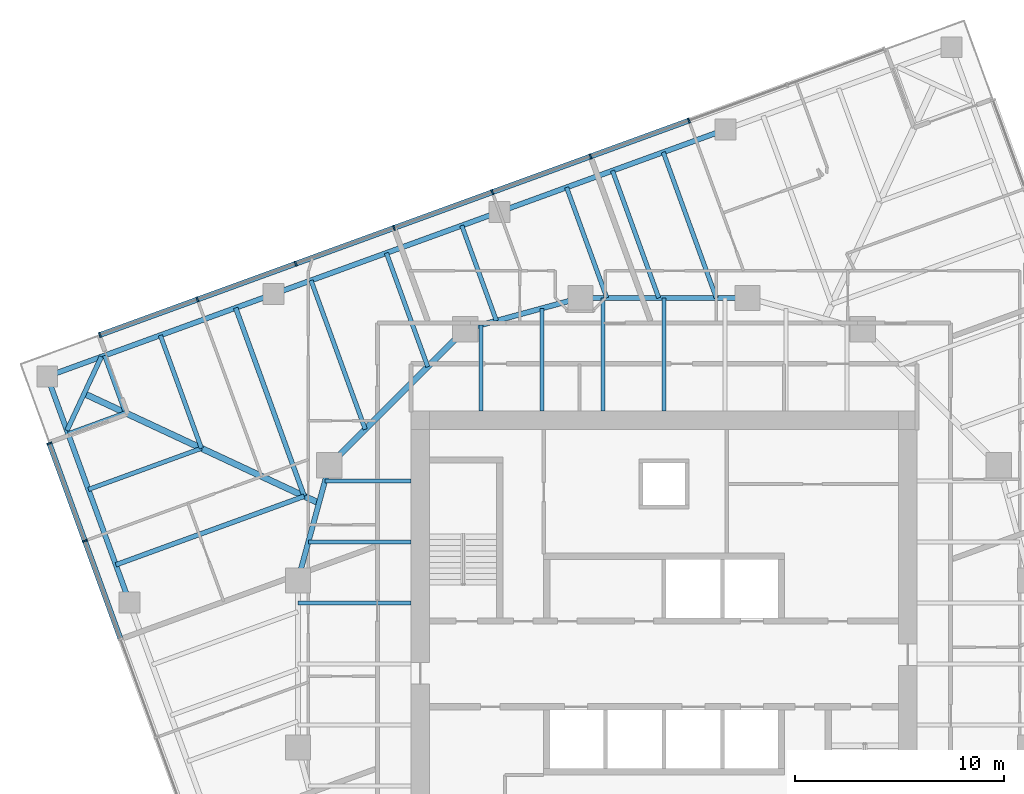
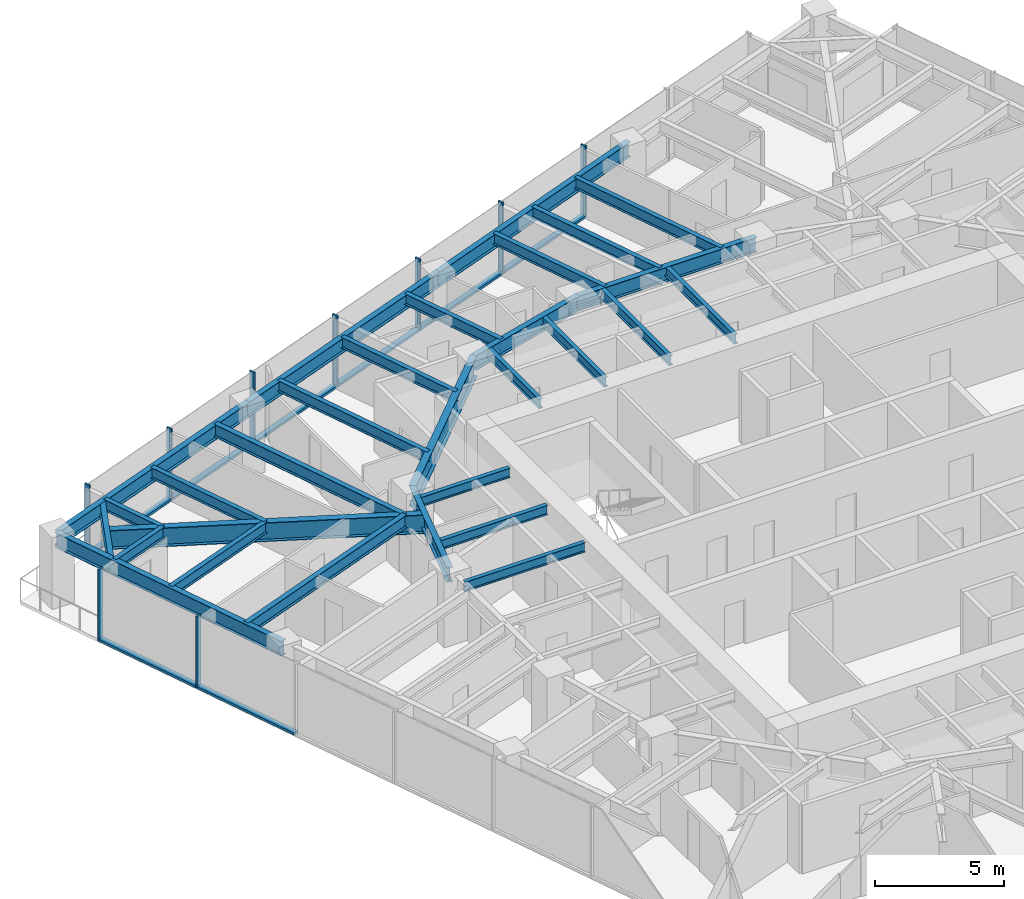
# One storey, part 4 of 13: 29 beams, 17 members, 2 elements without a shape of their own.
"""IFC4 building model written with IfcOpenShell, lengths in metres."""

import ifcopenshell
import ifcopenshell.guid

model = None  # the IFC model being written
_history = None  # IfcOwnerHistory: only IFC2X3 demands one
_inside = {}  # id of a spatial element -> (the spatial element, [elements in it])
_under = {}  # id of a project, library or spatial element -> (it, [spatial elements below it])
_declared = {}  # id of a project -> (the project, [libraries it declares])
_typed = {}  # id of a type object -> (the type object, [elements of that type])
_made_of = {}  # id of a material, layer set ... -> (it, [elements and type objects made of it])


def new_model(schema):
    """Start an empty IFC model of exactly this schema.

    Asked for "IFC4X3", IfcOpenShell would pick the latest addendum, in which some entities
    have other attributes; the version numbers below select the first issue.
    IFC2X3 requires an IfcOwnerHistory on every rooted entity: one is made here for all.
    """
    global model, _history
    if schema == "IFC4X3":
        model = ifcopenshell.file(schema_version=(4, 3, 0, 0))
    else:
        model = ifcopenshell.file(schema=schema)
    _inside.clear()
    _under.clear()
    _declared.clear()
    _typed.clear()
    _made_of.clear()
    _history = None
    if model.schema == "IFC2X3":
        org = make("IfcOrganization", Name="unknown")
        user = make(
            "IfcPersonAndOrganization",
            ThePerson=make("IfcPerson", FamilyName="unknown"),
            TheOrganization=org,
        )
        app = make(
            "IfcApplication",
            ApplicationDeveloper=org,
            Version="unknown",
            ApplicationFullName="unknown",
            ApplicationIdentifier="unknown",
        )
        _history = make(
            "IfcOwnerHistory",
            OwningUser=user,
            OwningApplication=app,
            ChangeAction="ADDED",
            CreationDate=0,
        )
    return model


def make(cls, **values):
    """One entity of the class cls with the attributes given. An attribute that is None is left unset."""
    return model.create_entity(
        cls, **{name: value for name, value in values.items() if value is not None}
    )


def rooted(cls, **values):
    """An entity with a GlobalId (a new one), such as an element, a storey or a relation."""
    return make(cls, GlobalId=ifcopenshell.guid.new(), OwnerHistory=_history, **values)


def si_unit(unit_type, name, prefix=None):
    """IfcSIUnit, for example si_unit("LENGTHUNIT", "METRE", prefix="MILLI")."""
    return make("IfcSIUnit", UnitType=unit_type, Prefix=prefix, Name=name)


def assignment(units):
    """IfcUnitAssignment: the units of a project."""
    return None if units is None else make("IfcUnitAssignment", Units=units)


def point(xyz):
    """IfcCartesianPoint."""
    return None if xyz is None else make("IfcCartesianPoint", Coordinates=xyz)


def direction(xyz):
    """IfcDirection."""
    return None if xyz is None else make("IfcDirection", DirectionRatios=xyz)


def frame(location, z_axis=None, x_axis=None):
    """IfcAxis2Placement3D, a coordinate frame: its origin and axes. An axis left out is left unset."""
    return make(
        "IfcAxis2Placement3D",
        Location=point(location),
        Axis=direction(z_axis),
        RefDirection=direction(x_axis),
    )


def frame_2d(location, x_axis=None):
    """IfcAxis2Placement2D, a coordinate frame in the plane: its origin and x axis."""
    return make(
        "IfcAxis2Placement2D", Location=point(location), RefDirection=direction(x_axis)
    )


def origin():
    """The frame at (0, 0, 0) with its axes left unset."""
    return frame((0.0, 0.0, 0.0))


def origin_2d():
    """The frame at (0, 0) in the plane with its x axis left unset."""
    return frame_2d((0.0, 0.0))


def place(relative_to, where):
    """IfcLocalPlacement: puts the frame where relative to a parent placement (None: the world)."""
    return make(
        "IfcLocalPlacement", PlacementRelTo=relative_to, RelativePlacement=where
    )


def context(
    kind, dimensions, precision=None, world=None, true_north=None, identifier=None
):
    """IfcGeometricRepresentationContext, for example the 3D "Model" context."""
    return make(
        "IfcGeometricRepresentationContext",
        ContextIdentifier=identifier,
        ContextType=kind,
        CoordinateSpaceDimension=dimensions,
        Precision=precision,
        WorldCoordinateSystem=world,
        TrueNorth=true_north,
    )


def subcontext(parent, identifier, kind, view, scale=None):
    """IfcGeometricRepresentationSubContext, for example "Body" below "Model"."""
    return make(
        "IfcGeometricRepresentationSubContext",
        ContextIdentifier=identifier,
        ContextType=kind,
        ParentContext=parent,
        TargetScale=scale,
        TargetView=view,
    )


def project(units=None, contexts=None):
    """IfcProject with its units and contexts."""
    return rooted(
        "IfcProject",
        Name="project",
        RepresentationContexts=contexts,
        UnitsInContext=assignment(units),
    )


def spatial(cls, under=None, at=None, **own):
    """A site, building, storey or space (cls), placed at a placement, below another one or the project."""
    s = rooted(cls, ObjectPlacement=at, **own)
    if under is not None:
        _under.setdefault(under.id(), (under, []))[1].append(s)
    return s


def profile(cls, at=None, kind="AREA", **sizes):
    """A parametric profile (cls). Its sizes go by their IFC names, for example OverallWidth=200.0."""
    return make(cls, ProfileType=kind, Position=at, **sizes)


def rectangle(**sizes):
    """IfcRectangleProfileDef."""
    return profile("IfcRectangleProfileDef", **sizes)


def i_section(**sizes):
    """IfcIShapeProfileDef."""
    return profile("IfcIShapeProfileDef", **sizes)


def extrude(swept, where, along, depth):
    """IfcExtrudedAreaSolid: the profile swept, set in the frame where, extruded along a direction by depth."""
    return make(
        "IfcExtrudedAreaSolid",
        SweptArea=swept,
        Position=where,
        ExtrudedDirection=direction(along),
        Depth=depth,
    )


def shape(context_of_items, identifier, shape_type, items):
    """IfcShapeRepresentation: the items that make up one representation, for example the "Body"."""
    return make(
        "IfcShapeRepresentation",
        ContextOfItems=context_of_items,
        RepresentationIdentifier=identifier,
        RepresentationType=shape_type,
        Items=items,
    )


def material(Name=None, Category=None):
    """IfcMaterial."""
    return make("IfcMaterial", Name=Name, Category=Category)


def material_profile(
    of_material, cross_section, Name=None, Category=None, Priority=None
):
    """IfcMaterialProfile: a cross section and its material."""
    return make(
        "IfcMaterialProfile",
        Name=Name,
        Material=of_material,
        Profile=cross_section,
        Priority=Priority,
        Category=Category,
    )


def profile_set(profiles, Name=None, composite=None):
    """IfcMaterialProfileSet."""
    return make(
        "IfcMaterialProfileSet",
        Name=Name,
        MaterialProfiles=profiles,
        CompositeProfile=composite,
    )


def made_of(thing, what):
    """Note that an element or type object is made of a material, layer set ...; save() writes the relation."""
    if what is not None:
        _made_of.setdefault(what.id(), (what, []))[1].append(thing)
    return thing


def type_object(cls, material=None, **own):
    """A type object (cls), such as IfcWallType, which elements share."""
    return made_of(rooted(cls, **own), material)


def element(
    cls,
    number,
    at=None,
    inside=None,
    cuts=None,
    type_object=None,
    material=None,
    context=None,
    identifier="Body",
    shape_type=None,
    held_by="IfcProductDefinitionShape",
    body=None,
    shapes=None,
    **own,
):
    """One element of the class cls, such as IfcWall. Its Tag is "e" and its number.

    at: its placement. inside: the storey or other place that contains it. cuts: it is an
    opening in that element (IfcRelVoidsElement). A single representation is given by context,
    identifier, shape_type and body (its items); several are given by shapes. held_by: the class
    of the entity that holds the representations. save() writes the other relations.
    """
    e = rooted(cls, Tag="e%d" % number, ObjectPlacement=at, **own)
    if body is not None:
        shapes = [shape(context, identifier, shape_type, body)]
    if shapes is not None:
        e.Representation = make(held_by, Representations=shapes)
    if inside is not None:
        _inside.setdefault(inside.id(), (inside, []))[1].append(e)
    if cuts is not None:
        rooted(
            "IfcRelVoidsElement", RelatingBuildingElement=cuts, RelatedOpeningElement=e
        )
    if type_object is not None:
        _typed.setdefault(type_object.id(), (type_object, []))[1].append(e)
    return made_of(e, material)


def aggregate(whole, parts):
    """IfcRelAggregates: a whole, such as a stair, and the parts it consists of."""
    return rooted("IfcRelAggregates", RelatingObject=whole, RelatedObjects=parts)


def save(model, path):
    """Write the relations noted so far, then the file.

    IfcRelAggregates (storeys below a building ...), IfcRelContainedInSpatialStructure (elements
    in a storey), IfcRelDefinesByType, IfcRelAssociatesMaterial and IfcRelDeclares: one each for
    every whole, place, type object, material and project.
    """
    for whole, parts in _under.values():
        aggregate(whole, parts)
    for where, things in _inside.values():
        rooted(
            "IfcRelContainedInSpatialStructure",
            RelatedElements=things,
            RelatingStructure=where,
        )
    for kind, things in _typed.values():
        rooted("IfcRelDefinesByType", RelatedObjects=things, RelatingType=kind)
    for what, things in _made_of.values():
        rooted("IfcRelAssociatesMaterial", RelatedObjects=things, RelatingMaterial=what)
    for by, libraries in _declared.values():
        rooted("IfcRelDeclares", RelatingContext=by, RelatedDefinitions=libraries)
    model.write(path)


model = new_model("IFC4")

# Units and contexts
model_context = context("Model", 3, precision=1e-05, world=origin(), true_north=direction((0.0, 1.0)))
body_context = subcontext(model_context, "Body", "Model", "MODEL_VIEW")
ifc_project = project(units=[si_unit("LENGTHUNIT", "METRE"), si_unit("AREAUNIT", "SQUARE_METRE"), si_unit("VOLUMEUNIT", "CUBIC_METRE"), si_unit("PLANEANGLEUNIT", "RADIAN"), si_unit("MASSUNIT", "GRAM", prefix="KILO")], contexts=[model_context])

# Site, building, storey
site_placement = place(None, origin())
site = spatial("IfcSite", under=ifc_project, at=site_placement, CompositionType="ELEMENT")
building_placement = place(site_placement, origin())
building = spatial("IfcBuilding", under=site, at=building_placement, Name="Torsade Residences", CompositionType="ELEMENT")
storey_placement = place(building_placement, frame((0.0, 0.0, 147.199951171875)))
storey = spatial("IfcBuildingStorey", under=building, at=storey_placement, Name="L40", CompositionType="ELEMENT", Elevation=147.199951171875)

# Beams
ifc_material_1 = material(Name="Steel grade 300", Category="steel")
ifc_material_profile_1 = material_profile(ifc_material_1, i_section(OverallWidth=0.300048828125, OverallDepth=0.89990234375, WebThickness=0.011962890625, FlangeThickness=0.02490234375, at=origin_2d()), Name="900WB175")
ifc_profile_set_1 = profile_set([ifc_material_profile_1], Name="Steel grade 300")
beam_type_1 = type_object("IfcBeamType", Name="CORNER GIRDER 900WB175", PredefinedType="BEAM", material=ifc_profile_set_1)
beam_1_placement = place(storey_placement, frame((12.282958984375, 42.924560546875, 2.800048828125), z_axis=(0.906308509373, -0.422616712682, 0.0), x_axis=(0.422616712682, 0.906308509373, 0.0)))
element("IfcBeam", 1, at=beam_1_placement, inside=storey, type_object=beam_type_1, Name="Corner girder 13 L41", PredefinedType="BEAM", context=body_context, shape_type="SweptSolid", body=[
    extrude(i_section(OverallWidth=0.300048828125, OverallDepth=0.89990234375, WebThickness=0.011962890625, FlangeThickness=0.02490234375, at=origin_2d()), origin(), (0.0, 0.0, 1.0), 12.3837890625),
])
ifc_material_2 = material(Name="Steel grade 300", Category="steel")
ifc_material_profile_2 = material_profile(ifc_material_2, i_section(OverallWidth=0.22802734375, OverallDepth=0.60205078125, WebThickness=0.010498046875, FlangeThickness=0.014892578125, FilletRadius=0.013916015625, at=origin_2d()), Name="610UB101")
ifc_profile_set_2 = profile_set([ifc_material_profile_2], Name="Steel grade 300")
beam_type_2 = type_object("IfcBeamType", Name="CORNER TRIMMER 610UB101", PredefinedType="BEAM", material=ifc_profile_set_2)
beam_2_placement = place(storey_placement, frame((11.461181640625, 41.162353515625, 2.948974609375), z_axis=(0.422613947806, 0.906309798645, 0.0), x_axis=(-0.906309798645, 0.422613947806, 0.0)))
element("IfcBeam", 2, at=beam_2_placement, inside=storey, type_object=beam_type_2, Name="Corner trimmer 13 L41", PredefinedType="BEAM", context=body_context, shape_type="SweptSolid", body=[
    extrude(i_section(OverallWidth=0.22802734375, OverallDepth=0.60205078125, WebThickness=0.010498046875, FlangeThickness=0.014892578125, FilletRadius=0.013916015625, at=origin_2d()), origin(), (0.0, 0.0, 1.0), 3.888916015625),
])
ifc_material_3 = material(Name="Steel grade 300", Category="steel")
ifc_material_profile_3 = material_profile(ifc_material_3, i_section(OverallWidth=0.25, OverallDepth=0.699951171875, WebThickness=0.010009765625, FlangeThickness=0.02001953125, at=origin_2d()), Name="700WB130")
ifc_profile_set_3 = profile_set([ifc_material_profile_3], Name="Steel grade 300")
beam_type_3 = type_object("IfcBeamType", Name="EDGE BEAM 700WB130", PredefinedType="SPANDREL", material=ifc_profile_set_3)
for number, where, z_axis, x_axis, name in (
    (3, (42.93994140625, 55.546142578125, 2.900146484375), (-0.939695448801, -0.342012373318, 0.0), (0.342012373318, -0.939695448801, 0.0), "Edge beam 10 L41"),
    (4, (32.133544921875, 51.613037109375, 2.900146484375), (-0.939688625666, -0.342031119628, 0.0), (0.342031119628, -0.939688625666, 0.0), "Edge beam 11 L41"),
    (5, (21.3271484375, 47.6796875, 2.900146484375), (-0.939697932031, -0.342005550448, 0.0), (0.342005550448, -0.939697932031, 0.0), "Edge beam 12 L41"),
):
    element("IfcBeam", number, at=place(storey_placement, frame(where, z_axis=z_axis, x_axis=x_axis)), inside=storey, type_object=beam_type_3, Name=name, PredefinedType="SPANDREL", context=body_context, shape_type="SweptSolid", body=[
        extrude(i_section(OverallWidth=0.25, OverallDepth=0.699951171875, WebThickness=0.010009765625, FlangeThickness=0.02001953125, at=origin_2d()), origin(), (0.0, 0.0, 1.0), 11.5),
    ])
beam_3_placement = place(storey_placement, frame((10.5205078125, 43.74658203125, 2.900146484375), z_axis=(0.342024296483, -0.93969110915, 0.0), x_axis=(0.93969110915, 0.342024296483, 0.0)))
element("IfcBeam", 6, at=beam_3_placement, inside=storey, type_object=beam_type_3, Name="Edge beam 13 L41", PredefinedType="SPANDREL", context=body_context, shape_type="SweptSolid", body=[
    extrude(i_section(OverallWidth=0.25, OverallDepth=0.699951171875, WebThickness=0.010009765625, FlangeThickness=0.02001953125, at=origin_2d()), origin(), (0.0, 0.0, 1.0), 11.500244140625),
])
ifc_material_4 = material(Name="Steel grade 300", Category="steel")
ifc_material_profile_4 = material_profile(ifc_material_4, i_section(OverallWidth=0.18994140625, OverallDepth=0.4541015625, WebThickness=0.008544921875, FlangeThickness=0.0126953125, FilletRadius=0.011474609375, at=origin_2d()), Name="460UB67.1")
ifc_profile_set_4 = profile_set([ifc_material_profile_4], Name="Steel grade 300")
beam_type_4 = type_object("IfcBeamType", Name="INNER FLOOR BEAM 460UB67.1", PredefinedType="JOIST", material=ifc_profile_set_4)
beam_4_placement = place(storey_placement, frame((31.262451171875, 42.10009765625, 3.02294921875), z_axis=(0.0, 1.0, 0.0), x_axis=(-1.0, 0.0, 0.0)))
element("IfcBeam", 7, at=beam_4_placement, inside=storey, type_object=beam_type_4, Name="Inner floor beam IN01 L41", PredefinedType="JOIST", context=body_context, shape_type="SweptSolid", body=[
    extrude(i_section(OverallWidth=0.18994140625, OverallDepth=0.4541015625, WebThickness=0.008544921875, FlangeThickness=0.0126953125, FilletRadius=0.011474609375, at=origin_2d()), origin(), (0.0, 0.0, 1.0), 4.10791015625),
])
beam_5_placement = place(storey_placement, frame((34.175048828125, 42.10009765625, 3.02294921875), z_axis=(0.0, 1.0, 0.0), x_axis=(-1.0, 0.0, 0.0)))
element("IfcBeam", 8, at=beam_5_placement, inside=storey, type_object=beam_type_4, Name="Inner floor beam IN02 L41", PredefinedType="JOIST", context=body_context, shape_type="SweptSolid", body=[
    extrude(i_section(OverallWidth=0.18994140625, OverallDepth=0.4541015625, WebThickness=0.008544921875, FlangeThickness=0.0126953125, FilletRadius=0.011474609375, at=origin_2d()), origin(), (0.0, 0.0, 1.0), 4.902099609375),
])
for number, where, z_axis, x_axis, name in (
    (9, (37.08740234375, 42.10009765625, 3.02294921875), (0.0, 1.0, 0.0), (-1.0, 0.0, 0.0), "Inner floor beam IN03 L41"),
    (10, (40.0, 42.10009765625, 3.02294921875), (0.0, 1.0, 0.0), (-1.0, 0.0, 0.0), "Inner floor beam IN04 L41"),
):
    element("IfcBeam", number, at=place(storey_placement, frame(where, z_axis=z_axis, x_axis=x_axis)), inside=storey, type_object=beam_type_4, Name=name, PredefinedType="JOIST", context=body_context, shape_type="SweptSolid", body=[
        extrude(i_section(OverallWidth=0.18994140625, OverallDepth=0.4541015625, WebThickness=0.008544921875, FlangeThickness=0.0126953125, FilletRadius=0.011474609375, at=origin_2d()), origin(), (0.0, 0.0, 1.0), 5.39990234375),
    ])
beam_6_placement = place(storey_placement, frame((27.89990234375, 38.737548828125, 3.02294921875), z_axis=(-1.0, 0.0, 0.0), x_axis=(0.0, -1.0, 0.0)))
element("IfcBeam", 11, at=beam_6_placement, inside=storey, type_object=beam_type_4, Name="Inner floor beam IW01 L41", PredefinedType="JOIST", context=body_context, shape_type="SweptSolid", body=[
    extrude(i_section(OverallWidth=0.18994140625, OverallDepth=0.4541015625, WebThickness=0.008544921875, FlangeThickness=0.0126953125, FilletRadius=0.011474609375, at=origin_2d()), origin(), (0.0, 0.0, 1.0), 4.10791015625),
])
beam_7_placement = place(storey_placement, frame((27.89990234375, 35.824951171875, 3.02294921875), z_axis=(-1.0, 0.0, 0.0), x_axis=(0.0, -1.0, 0.0)))
element("IfcBeam", 12, at=beam_7_placement, inside=storey, type_object=beam_type_4, Name="Inner floor beam IW02 L41", PredefinedType="JOIST", context=body_context, shape_type="SweptSolid", body=[
    extrude(i_section(OverallWidth=0.18994140625, OverallDepth=0.4541015625, WebThickness=0.008544921875, FlangeThickness=0.0126953125, FilletRadius=0.011474609375, at=origin_2d()), origin(), (0.0, 0.0, 1.0), 4.902099609375),
])
beam_8_placement = place(storey_placement, frame((27.89990234375, 32.91259765625, 3.02294921875), z_axis=(-1.0, 0.0, 0.0), x_axis=(0.0, -1.0, 0.0)))
element("IfcBeam", 13, at=beam_8_placement, inside=storey, type_object=beam_type_4, Name="Inner floor beam IW03 L41", PredefinedType="JOIST", context=body_context, shape_type="SweptSolid", body=[
    extrude(i_section(OverallWidth=0.18994140625, OverallDepth=0.4541015625, WebThickness=0.008544921875, FlangeThickness=0.0126953125, FilletRadius=0.011474609375, at=origin_2d()), origin(), (0.0, 0.0, 1.0), 5.39990234375),
])

# Curtain wall, members
ifc_material_5 = material(Name="Aluminium and glass", Category="aluminium")
curtain_wall_type = type_object("IfcCurtainWallType", Name="FRITTED GLASS CURTAIN WALL MID ZONE", PredefinedType="NOTDEFINED", material=ifc_material_5)
curtain_wall_1_placement = place(storey_placement, origin())
curtain_wall_1 = element("IfcCurtainWall", 14, at=curtain_wall_1_placement, inside=storey, type_object=curtain_wall_type, Name="Curtain wall L40 face 7", PredefinedType="NOTDEFINED")
ifc_material_6 = material(Name="Aluminium mullion", Category="aluminium")
ifc_material_profile_5 = material_profile(ifc_material_6, rectangle(XDim=0.25, YDim=0.080078125, at=origin_2d()), Name="MID ZONE CURTAIN WALL MULLION 250x80")
ifc_profile_set_5 = profile_set([ifc_material_profile_5], Name="Aluminium mullion")
member_type_1 = type_object("IfcMemberType", Name="MID ZONE CURTAIN WALL MULLION 250x80", PredefinedType="MULLION", material=ifc_profile_set_5)
member_1_placement = place(storey_placement, frame((41.1884765625, 55.972900390625, 0.0), z_axis=(0.0, 0.0, 1.0), x_axis=(0.342020147869, -0.939692619132, 0.0)))
member_1 = element("IfcMember", 15, at=member_1_placement, type_object=member_type_1, Name="Mullion 3", PredefinedType="MULLION", context=body_context, shape_type="SweptSolid", body=[
    extrude(rectangle(XDim=0.25, YDim=0.080078125, at=origin_2d()), origin(), (0.0, 0.0, 1.0), 3.400146484375),
])
member_2_placement = place(storey_placement, frame((36.489990234375, 54.2626953125, 0.0), z_axis=(0.0, 0.0, 1.0), x_axis=(0.342020147869, -0.939692619132, 0.0)))
member_2 = element("IfcMember", 16, at=member_2_placement, type_object=member_type_1, Name="Mullion 4", PredefinedType="MULLION", context=body_context, shape_type="SweptSolid", body=[
    extrude(rectangle(XDim=0.25, YDim=0.080078125, at=origin_2d()), origin(), (0.0, 0.0, 1.0), 3.400146484375),
])
member_3_placement = place(storey_placement, frame((31.79150390625, 52.552734375, 0.0), z_axis=(0.0, 0.0, 1.0), x_axis=(0.342020147869, -0.939692619132, 0.0)))
member_3 = element("IfcMember", 17, at=member_3_placement, type_object=member_type_1, Name="Mullion 5", PredefinedType="MULLION", context=body_context, shape_type="SweptSolid", body=[
    extrude(rectangle(XDim=0.25, YDim=0.080078125, at=origin_2d()), origin(), (0.0, 0.0, 1.0), 3.400146484375),
])
member_4_placement = place(storey_placement, frame((27.093017578125, 50.842529296875, 0.0), z_axis=(0.0, 0.0, 1.0), x_axis=(0.342020147869, -0.939692619132, 0.0)))
member_4 = element("IfcMember", 18, at=member_4_placement, type_object=member_type_1, Name="Mullion 6", PredefinedType="MULLION", context=body_context, shape_type="SweptSolid", body=[
    extrude(rectangle(XDim=0.25, YDim=0.080078125, at=origin_2d()), origin(), (0.0, 0.0, 1.0), 3.400146484375),
])
member_5_placement = place(storey_placement, frame((22.39453125, 49.13232421875, 0.0), z_axis=(0.0, 0.0, 1.0), x_axis=(0.342020147869, -0.939692619132, 0.0)))
member_5 = element("IfcMember", 19, at=member_5_placement, type_object=member_type_1, Name="Mullion 7", PredefinedType="MULLION", context=body_context, shape_type="SweptSolid", body=[
    extrude(rectangle(XDim=0.25, YDim=0.080078125, at=origin_2d()), origin(), (0.0, 0.0, 1.0), 3.400146484375),
])
member_6_placement = place(storey_placement, frame((17.696044921875, 47.42236328125, 0.0), z_axis=(0.0, 0.0, 1.0), x_axis=(0.342020147869, -0.939692619132, 0.0)))
member_6 = element("IfcMember", 20, at=member_6_placement, type_object=member_type_1, Name="Mullion 8", PredefinedType="MULLION", context=body_context, shape_type="SweptSolid", body=[
    extrude(rectangle(XDim=0.25, YDim=0.080078125, at=origin_2d()), origin(), (0.0, 0.0, 1.0), 3.400146484375),
])
member_7_placement = place(storey_placement, frame((13.03515625, 45.725830078125, 0.0), z_axis=(0.0, 0.0, 1.0), x_axis=(0.342020147869, -0.939692619132, 0.0)))
member_7 = element("IfcMember", 21, at=member_7_placement, type_object=member_type_1, Name="Mullion 9", PredefinedType="MULLION", context=body_context, shape_type="SweptSolid", body=[
    extrude(rectangle(XDim=0.25, YDim=0.080078125, at=origin_2d()), origin(), (0.0, 0.0, 1.0), 3.400146484375),
])

curtain_wall_2_placement = place(storey_placement, origin())
curtain_wall_2 = element("IfcCurtainWall", 22, at=curtain_wall_2_placement, inside=storey, type_object=curtain_wall_type, Name="Curtain wall L40 face 10", PredefinedType="NOTDEFINED")
member_8_placement = place(storey_placement, frame((10.62060546875, 40.5478515625, 0.0), z_axis=(0.0, 0.0, 1.0), x_axis=(0.939692619132, 0.342020147869, 0.0)))
member_8 = element("IfcMember", 23, at=member_8_placement, type_object=member_type_1, Name="Mullion 1", PredefinedType="MULLION", context=body_context, shape_type="SweptSolid", body=[
    extrude(rectangle(XDim=0.25, YDim=0.080078125, at=origin_2d()), origin(), (0.0, 0.0, 1.0), 3.400146484375),
])
member_9_placement = place(storey_placement, frame((12.317138671875, 35.886962890625, 0.0), z_axis=(0.0, 0.0, 1.0), x_axis=(0.939692619132, 0.342020147869, 0.0)))
member_9 = element("IfcMember", 24, at=member_9_placement, type_object=member_type_1, Name="Mullion 2", PredefinedType="MULLION", context=body_context, shape_type="SweptSolid", body=[
    extrude(rectangle(XDim=0.25, YDim=0.080078125, at=origin_2d()), origin(), (0.0, 0.0, 1.0), 3.400146484375),
])

# Member
ifc_material_7 = material(Name="Aluminium transom", Category="aluminium")
ifc_material_profile_6 = material_profile(ifc_material_7, rectangle(XDim=0.25, YDim=0.110107421875, at=origin_2d()), Name="MID ZONE CURTAIN WALL TRANSOM 250x110")
ifc_profile_set_6 = profile_set([ifc_material_profile_6], Name="Aluminium transom")
member_type_2 = type_object("IfcMemberType", Name="MID ZONE CURTAIN WALL TRANSOM 250x110", PredefinedType="USERDEFINED", material=ifc_profile_set_6)
member_10_placement = place(storey_placement, frame((41.15087890625, 55.959228515625, 0.054931640625), z_axis=(-0.93968471549, -0.342041862168, 0.0), x_axis=(0.342041862168, -0.93968471549, 0.0)))
member_10 = element("IfcMember", 25, at=member_10_placement, type_object=member_type_2, Name="Transom 3.1", ObjectType="TRANSOM", PredefinedType="USERDEFINED", context=body_context, shape_type="SweptSolid", body=[
    extrude(rectangle(XDim=0.25, YDim=0.110107421875, at=origin_2d()), origin(), (0.0, 0.0, 1.0), 4.920166015625),
])

member_11_placement = place(storey_placement, frame((36.452392578125, 54.2490234375, 0.054931640625), z_axis=(-0.9397006637, -0.341998044792, 0.0), x_axis=(0.341998044792, -0.9397006637, 0.0)))
member_11 = element("IfcMember", 26, at=member_11_placement, type_object=member_type_2, Name="Transom 4.1", ObjectType="TRANSOM", PredefinedType="USERDEFINED", context=body_context, shape_type="SweptSolid", body=[
    extrude(rectangle(XDim=0.25, YDim=0.110107421875, at=origin_2d()), origin(), (0.0, 0.0, 1.0), 4.919921875),
])

member_12_placement = place(storey_placement, frame((31.75390625, 52.5390625, 0.054931640625), z_axis=(-0.93968471549, -0.342041862168, 0.0), x_axis=(0.342041862168, -0.93968471549, 0.0)))
member_12 = element("IfcMember", 27, at=member_12_placement, type_object=member_type_2, Name="Transom 5.1", ObjectType="TRANSOM", PredefinedType="USERDEFINED", context=body_context, shape_type="SweptSolid", body=[
    extrude(rectangle(XDim=0.25, YDim=0.110107421875, at=origin_2d()), origin(), (0.0, 0.0, 1.0), 4.920166015625),
])

member_13_placement = place(storey_placement, frame((27.055419921875, 50.828857421875, 0.054931640625), z_axis=(-0.93968471549, -0.342041862168, 0.0), x_axis=(0.342041862168, -0.93968471549, 0.0)))
member_13 = element("IfcMember", 28, at=member_13_placement, type_object=member_type_2, Name="Transom 6.1", ObjectType="TRANSOM", PredefinedType="USERDEFINED", context=body_context, shape_type="SweptSolid", body=[
    extrude(rectangle(XDim=0.25, YDim=0.110107421875, at=origin_2d()), origin(), (0.0, 0.0, 1.0), 4.920166015625),
])

member_14_placement = place(storey_placement, frame((22.35693359375, 49.11865234375, 0.054931640625), z_axis=(-0.9397006637, -0.341998044792, 0.0), x_axis=(0.341998044792, -0.9397006637, 0.0)))
member_14 = element("IfcMember", 29, at=member_14_placement, type_object=member_type_2, Name="Transom 7.1", ObjectType="TRANSOM", PredefinedType="USERDEFINED", context=body_context, shape_type="SweptSolid", body=[
    extrude(rectangle(XDim=0.25, YDim=0.110107421875, at=origin_2d()), origin(), (0.0, 0.0, 1.0), 4.919921875),
])

member_15_placement = place(storey_placement, frame((17.658447265625, 47.40869140625, 0.054931640625), z_axis=(-0.939683823915, -0.342044311564, 0.0), x_axis=(0.342044311564, -0.939683823915, 0.0)))
member_15 = element("IfcMember", 30, at=member_15_placement, type_object=member_type_2, Name="Transom 8.1", ObjectType="TRANSOM", PredefinedType="USERDEFINED", context=body_context, shape_type="SweptSolid", body=[
    extrude(rectangle(XDim=0.25, YDim=0.110107421875, at=origin_2d()), origin(), (0.0, 0.0, 1.0), 4.880126953125),
])

aggregate(curtain_wall_1, [member_1, member_2, member_3, member_4, member_5, member_6, member_7, member_10, member_11, member_12, member_13, member_14, member_15])

member_16_placement = place(storey_placement, frame((10.63427734375, 40.51025390625, 0.054931640625), z_axis=(0.342044311564, -0.939683823915, 0.0), x_axis=(0.939683823915, 0.342044311564, 0.0)))
member_16 = element("IfcMember", 31, at=member_16_placement, type_object=member_type_2, Name="Transom 1.1", ObjectType="TRANSOM", PredefinedType="USERDEFINED", context=body_context, shape_type="SweptSolid", body=[
    extrude(rectangle(XDim=0.25, YDim=0.110107421875, at=origin_2d()), origin(), (0.0, 0.0, 1.0), 4.880126953125),
])

member_17_placement = place(storey_placement, frame((12.330810546875, 35.849365234375, 0.054931640625), z_axis=(0.341998044792, -0.9397006637, 0.0), x_axis=(0.9397006637, 0.341998044792, 0.0)))
member_17 = element("IfcMember", 32, at=member_17_placement, type_object=member_type_2, Name="Transom 2.1", ObjectType="TRANSOM", PredefinedType="USERDEFINED", context=body_context, shape_type="SweptSolid", body=[
    extrude(rectangle(XDim=0.25, YDim=0.110107421875, at=origin_2d()), origin(), (0.0, 0.0, 1.0), 4.919921875),
])

aggregate(curtain_wall_2, [member_8, member_9, member_16, member_17])

# Beams
ifc_material_8 = material(Name="Steel grade 300", Category="steel")
ifc_material_profile_7 = material_profile(ifc_material_8, i_section(OverallWidth=0.300048828125, OverallDepth=1.0, WebThickness=0.01611328125, FlangeThickness=0.028076171875, at=origin_2d()), Name="1000WB215")
ifc_profile_set_7 = profile_set([ifc_material_profile_7], Name="Steel grade 300")
beam_type_5 = type_object("IfcBeamType", Name="RING CORNER GIRDER 1000WB215", PredefinedType="BEAM", material=ifc_profile_set_7)
beam_9_placement = place(storey_placement, frame((30.5, 46.0, 2.75), z_axis=(-0.707106781187, -0.707106781187, 0.0), x_axis=(0.707106781187, -0.707106781187, 0.0)))
element("IfcBeam", 33, at=beam_9_placement, inside=storey, type_object=beam_type_5, Name="Ring girder IR07 L41", PredefinedType="BEAM", context=body_context, shape_type="SweptSolid", body=[
    extrude(i_section(OverallWidth=0.300048828125, OverallDepth=1.0, WebThickness=0.01611328125, FlangeThickness=0.028076171875, at=origin_2d()), origin(), (0.0, 0.0, 1.0), 9.1923828125),
])
ifc_material_9 = material(Name="Steel grade 300", Category="steel")
ifc_material_profile_8 = material_profile(ifc_material_9, i_section(OverallWidth=0.25, OverallDepth=0.699951171875, WebThickness=0.010009765625, FlangeThickness=0.02001953125, at=origin_2d()), Name="700WB130")
ifc_profile_set_8 = profile_set([ifc_material_profile_8], Name="Steel grade 300")
beam_type_6 = type_object("IfcBeamType", Name="RING GIRDER 700WB130", PredefinedType="BEAM", material=ifc_profile_set_8)
beam_10_placement = place(storey_placement, frame((44.0, 47.5, 2.900146484375), z_axis=(-1.0, 0.0, 0.0), x_axis=(0.0, -1.0, 0.0)))
element("IfcBeam", 34, at=beam_10_placement, inside=storey, type_object=beam_type_6, Name="Ring girder IR05 L41", PredefinedType="BEAM", context=body_context, shape_type="SweptSolid", body=[
    extrude(i_section(OverallWidth=0.25, OverallDepth=0.699951171875, WebThickness=0.010009765625, FlangeThickness=0.02001953125, at=origin_2d()), origin(), (0.0, 0.0, 1.0), 8.0),
])
for number, where, z_axis, x_axis, name in (
    (35, (36.0, 47.5, 2.900146484375), (-0.964763821238, -0.263117405792, 0.0), (0.263117405792, -0.964763821238, 0.0), "Ring girder IR06 L41"),
    (36, (24.0, 39.5, 2.900146484375), (-0.263117405792, -0.964763821238, 0.0), (0.964763821238, -0.263117405792, 0.0), "Ring girder IR08 L41"),
):
    element("IfcBeam", number, at=place(storey_placement, frame(where, z_axis=z_axis, x_axis=x_axis)), inside=storey, type_object=beam_type_6, Name=name, PredefinedType="BEAM", context=body_context, shape_type="SweptSolid", body=[
        extrude(i_section(OverallWidth=0.25, OverallDepth=0.699951171875, WebThickness=0.010009765625, FlangeThickness=0.02001953125, at=origin_2d()), origin(), (0.0, 0.0, 1.0), 5.700927734375),
    ])
ifc_material_10 = material(Name="Steel grade 300", Category="steel")
ifc_material_profile_9 = material_profile(ifc_material_10, i_section(OverallWidth=0.208984375, OverallDepth=0.528076171875, WebThickness=0.009521484375, FlangeThickness=0.01318359375, FilletRadius=0.013916015625, at=origin_2d()), Name="530UB82.0")
ifc_profile_set_9 = profile_set([ifc_material_profile_9], Name="Steel grade 300")
beam_type_7 = type_object("IfcBeamType", Name="SECONDARY BEAM 530UB82.0", PredefinedType="JOIST", material=ifc_profile_set_9)
beam_11_placement = place(storey_placement, frame((39.96435546875, 54.463134765625, 2.986083984375), z_axis=(0.342026105929, -0.939690450554, 0.0), x_axis=(0.939690450554, 0.342026105929, 0.0)))
element("IfcBeam", 37, at=beam_11_placement, inside=storey, type_object=beam_type_7, Name="Floor beam FN04 L41", PredefinedType="JOIST", context=body_context, shape_type="SweptSolid", body=[
    extrude(i_section(OverallWidth=0.208984375, OverallDepth=0.528076171875, WebThickness=0.009521484375, FlangeThickness=0.01318359375, FilletRadius=0.013916015625, at=origin_2d()), origin(), (0.0, 0.0, 1.0), 7.409912109375),
])
beam_12_placement = place(storey_placement, frame((37.536865234375, 53.57958984375, 2.986083984375), z_axis=(0.342000590983, -0.939699737026, 0.0), x_axis=(0.939699737026, 0.342000590983, 0.0)))
element("IfcBeam", 38, at=beam_12_placement, inside=storey, type_object=beam_type_7, Name="Floor beam FN05 L41", PredefinedType="JOIST", context=body_context, shape_type="SweptSolid", body=[
    extrude(i_section(OverallWidth=0.208984375, OverallDepth=0.528076171875, WebThickness=0.009521484375, FlangeThickness=0.01318359375, FilletRadius=0.013916015625, at=origin_2d()), origin(), (0.0, 0.0, 1.0), 6.4697265625),
])
beam_13_placement = place(storey_placement, frame((35.34423828125, 52.781494140625, 2.986083984375), z_axis=(0.341990681925, -0.939703343336, 0.0), x_axis=(0.939703343336, 0.341990681925, 0.0)))
element("IfcBeam", 39, at=beam_13_placement, inside=storey, type_object=beam_type_7, Name="Floor beam FN06 L41", PredefinedType="JOIST", context=body_context, shape_type="SweptSolid", body=[
    extrude(i_section(OverallWidth=0.208984375, OverallDepth=0.528076171875, WebThickness=0.009521484375, FlangeThickness=0.01318359375, FilletRadius=0.013916015625, at=origin_2d()), origin(), (0.0, 0.0, 1.0), 5.620361328125),
])
beam_14_placement = place(storey_placement, frame((30.33251953125, 50.957275390625, 2.986083984375), z_axis=(0.342014218604, -0.939694777187, 0.0), x_axis=(0.939694777187, 0.342014218604, 0.0)))
element("IfcBeam", 40, at=beam_14_placement, inside=storey, type_object=beam_type_7, Name="Floor beam FN07 L41", PredefinedType="JOIST", context=body_context, shape_type="SweptSolid", body=[
    extrude(i_section(OverallWidth=0.208984375, OverallDepth=0.528076171875, WebThickness=0.009521484375, FlangeThickness=0.01318359375, FilletRadius=0.013916015625, at=origin_2d()), origin(), (0.0, 0.0, 1.0), 4.84326171875),
])
beam_15_placement = place(storey_placement, frame((26.730224609375, 49.646240234375, 2.986083984375), z_axis=(0.342034409239, -0.939687428295, 0.0), x_axis=(0.939687428295, 0.342034409239, 0.0)))
element("IfcBeam", 41, at=beam_15_placement, inside=storey, type_object=beam_type_7, Name="Floor beam FN08 L41", PredefinedType="JOIST", context=body_context, shape_type="SweptSolid", body=[
    extrude(i_section(OverallWidth=0.208984375, OverallDepth=0.528076171875, WebThickness=0.009521484375, FlangeThickness=0.01318359375, FilletRadius=0.013916015625, at=origin_2d()), origin(), (0.0, 0.0, 1.0), 5.785888671875),
])
beam_16_placement = place(storey_placement, frame((23.128173828125, 48.335205078125, 2.986083984375), z_axis=(0.342027762686, -0.939689847531, 0.0), x_axis=(0.939689847531, 0.342027762686, 0.0)))
element("IfcBeam", 42, at=beam_16_placement, inside=storey, type_object=beam_type_7, Name="Floor beam FN09 L41", PredefinedType="JOIST", context=body_context, shape_type="SweptSolid", body=[
    extrude(i_section(OverallWidth=0.208984375, OverallDepth=0.528076171875, WebThickness=0.009521484375, FlangeThickness=0.01318359375, FilletRadius=0.013916015625, at=origin_2d()), origin(), (0.0, 0.0, 1.0), 7.573486328125),
])
beam_17_placement = place(storey_placement, frame((15.923828125, 45.713134765625, 2.986083984375), z_axis=(0.342005550448, -0.939697932031, 0.0), x_axis=(0.939697932031, 0.342005550448, 0.0)))
element("IfcBeam", 43, at=beam_17_placement, inside=storey, type_object=beam_type_7, Name="Floor beam FN11 L41", PredefinedType="JOIST", context=body_context, shape_type="SweptSolid", body=[
    extrude(i_section(OverallWidth=0.208984375, OverallDepth=0.528076171875, WebThickness=0.009521484375, FlangeThickness=0.01318359375, FilletRadius=0.013916015625, at=origin_2d()), origin(), (0.0, 0.0, 1.0), 5.75),
])
for number, where, z_axis, x_axis, name in (
    (44, (13.261474609375, 44.744140625, 2.986083984375), (0.341998427281, -0.939700524495, 0.0), (0.939700524495, 0.341998427281, 0.0), "Floor beam FN12 L41"),
    (45, (11.51806640625, 41.005615234375, 2.986083984375), (0.939700524495, 0.341998427281, 0.0), (-0.341998427281, 0.939700524495, 0.0), "Floor beam FW01 L41"),
):
    element("IfcBeam", number, at=place(storey_placement, frame(where, z_axis=z_axis, x_axis=x_axis)), inside=storey, type_object=beam_type_7, Name=name, PredefinedType="JOIST", context=body_context, shape_type="SweptSolid", body=[
        extrude(i_section(OverallWidth=0.208984375, OverallDepth=0.528076171875, WebThickness=0.009521484375, FlangeThickness=0.01318359375, FilletRadius=0.013916015625, at=origin_2d()), origin(), (0.0, 0.0, 1.0), 2.916748046875),
    ])
beam_18_placement = place(storey_placement, frame((12.4873046875, 38.34326171875, 2.986083984375), z_axis=(0.939692965423, 0.342019196443, 0.0), x_axis=(-0.342019196443, 0.939692965423, 0.0)))
element("IfcBeam", 46, at=beam_18_placement, inside=storey, type_object=beam_type_7, Name="Floor beam FW02 L41", PredefinedType="JOIST", context=body_context, shape_type="SweptSolid", body=[
    extrude(i_section(OverallWidth=0.208984375, OverallDepth=0.528076171875, WebThickness=0.009521484375, FlangeThickness=0.01318359375, FilletRadius=0.013916015625, at=origin_2d()), origin(), (0.0, 0.0, 1.0), 5.749755859375),
])
ifc_material_11 = material(Name="Steel grade 300", Category="steel")
ifc_material_profile_10 = material_profile(ifc_material_11, i_section(OverallWidth=0.22900390625, OverallDepth=0.612060546875, WebThickness=0.011962890625, FlangeThickness=0.01953125, FilletRadius=0.013916015625, at=origin_2d()), Name="610UB125")
ifc_profile_set_10 = profile_set([ifc_material_profile_10], Name="Steel grade 300")
beam_type_8 = type_object("IfcBeamType", Name="SECONDARY BEAM 610UB125", PredefinedType="JOIST", material=ifc_profile_set_10)
for number, where, z_axis, x_axis, name in (
    (47, (19.52587890625, 47.024169921875, 2.944091796875), (0.342033504181, -0.939687757725, 0.0), (0.939687757725, 0.342033504181, 0.0), "Floor beam FN10 L41"),
    (48, (13.79833984375, 34.740966796875, 2.944091796875), (0.939687757725, 0.342033504181, 0.0), (-0.342033504181, 0.939687757725, 0.0), "Floor beam FW03 L41"),
):
    element("IfcBeam", number, at=place(storey_placement, frame(where, z_axis=z_axis, x_axis=x_axis)), inside=storey, type_object=beam_type_8, Name=name, PredefinedType="JOIST", context=body_context, shape_type="SweptSolid", body=[
        extrude(i_section(OverallWidth=0.22900390625, OverallDepth=0.612060546875, WebThickness=0.011962890625, FlangeThickness=0.01953125, FilletRadius=0.013916015625, at=origin_2d()), origin(), (0.0, 0.0, 1.0), 9.583251953125),
    ])

save(model, "model.ifc")
